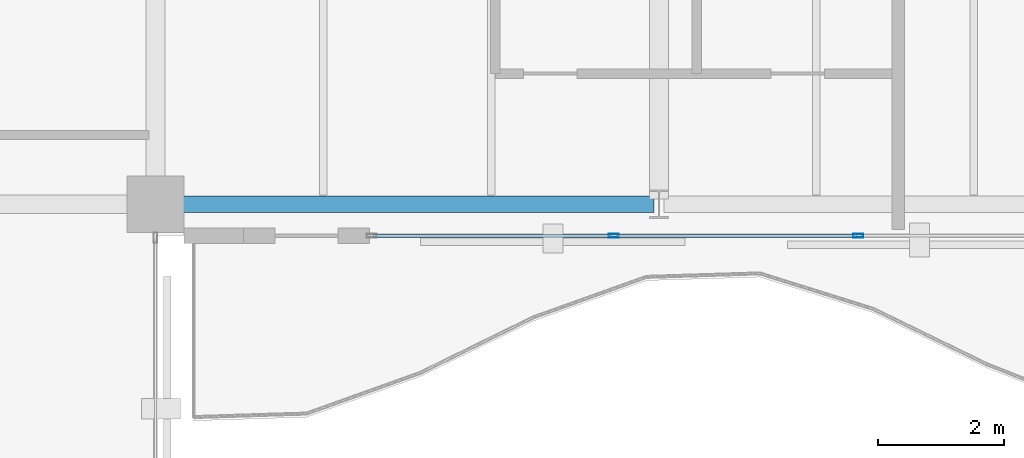
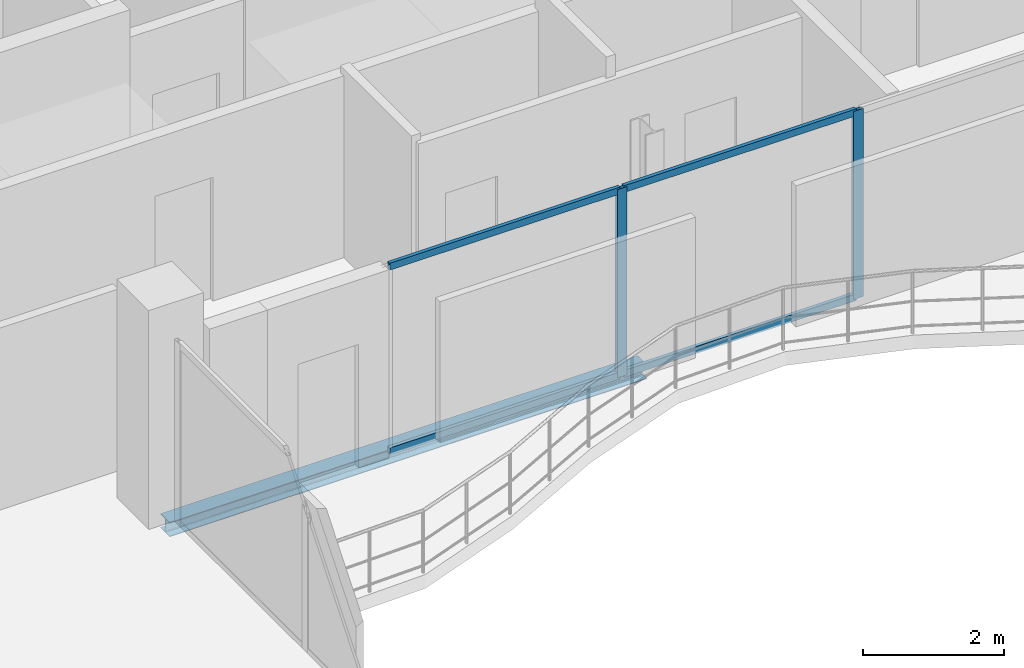
# One storey, part 9 of 23: 6 members, 1 beam, 1 element without a shape of its own.
"""IFC4 building model written with IfcOpenShell, lengths in metres."""

from ifc_helpers import new_model, si_unit, direction, frame, origin, origin_2d, place, context, subcontext, project, spatial, hollow_rectangle, i_section, extrude, material, layer, layer_set, material_profile, profile_set, type_object, element, aggregate, save


model = new_model("IFC4")

# Units and contexts
model_context = context("Model", 3, precision=1e-05, world=origin(), true_north=direction((0.0, 1.0)))
body_context = subcontext(model_context, "Body", "Model", "MODEL_VIEW")
ifc_project = project(units=[si_unit("LENGTHUNIT", "METRE"), si_unit("AREAUNIT", "SQUARE_METRE"), si_unit("VOLUMEUNIT", "CUBIC_METRE"), si_unit("PLANEANGLEUNIT", "RADIAN"), si_unit("MASSUNIT", "GRAM", prefix="KILO")], contexts=[model_context])

# Site, building, storey
site_placement = place(None, origin())
site = spatial("IfcSite", under=ifc_project, at=site_placement, CompositionType="ELEMENT")
building_placement = place(site_placement, origin())
building = spatial("IfcBuilding", under=site, at=building_placement, Name="Catumbela Crestline Tower", CompositionType="ELEMENT")
storey_placement = place(building_placement, frame((0.0, 0.0, 245.0)))
storey = spatial("IfcBuildingStorey", under=building, at=storey_placement, Name="L63", CompositionType="ELEMENT", Elevation=245.0)

# Curtain wall, members
ifc_material_1 = material(Name="Aluminium alloy AW-6060-T66", Category="aluminium")
ifc_layer = layer(ifc_material_1, 0.18, Name="Aluminium alloy AW-6060-T66")
ifc_layer_set = layer_set([ifc_layer], Name="Aluminium alloy AW-6060-T66")
curtain_wall_type = type_object("IfcCurtainWallType", Name="CWU-Z4", PredefinedType="USERDEFINED", material=ifc_layer_set)
curtain_wall_placement = place(storey_placement, origin())
curtain_wall = element("IfcCurtainWall", 1, at=curtain_wall_placement, inside=storey, type_object=curtain_wall_type, Name="L63 Unitised Curtain Wall CW-L63-E3S2", ObjectType="UNITISED", PredefinedType="USERDEFINED")
ifc_material_profile_1 = material_profile(ifc_material_1, hollow_rectangle(XDim=0.06, YDim=0.16, WallThickness=0.004, at=origin_2d()), Name="ALU 160x60x4")
ifc_profile_set_1 = profile_set([ifc_material_profile_1], Name="Aluminium alloy AW-6060-T66")
member_type_1 = type_object("IfcMemberType", Name="MUL-160X60", PredefinedType="MULLION", material=ifc_profile_set_1)
member_1_placement = place(storey_placement, frame((31.2833, 24.0, 0.0), z_axis=(0.0, 0.0, 1.0), x_axis=(0.0, 1.0, 0.0)))
member_1 = element("IfcMember", 2, at=member_1_placement, type_object=member_type_1, Name="CWU-Z4 mullion 2", PredefinedType="MULLION", context=body_context, shape_type="SweptSolid", body=[
    extrude(hollow_rectangle(XDim=0.06, YDim=0.16, WallThickness=0.004, at=origin_2d()), origin(), (0.0, 0.0, 1.0), 3.27),
])
member_2_placement = place(storey_placement, frame((35.1667, 24.0, 0.0), z_axis=(0.0, 0.0, 1.0), x_axis=(0.0, 1.0, 0.0)))
member_2 = element("IfcMember", 3, at=member_2_placement, type_object=member_type_1, Name="CWU-Z4 mullion 3", PredefinedType="MULLION", context=body_context, shape_type="SweptSolid", body=[
    extrude(hollow_rectangle(XDim=0.06, YDim=0.16, WallThickness=0.004, at=origin_2d()), origin(), (0.0, 0.0, 1.0), 3.27),
])

# Beam
ifc_material_2 = material(Name="Structural steel S355J2", Category="steel")
ifc_material_profile_2 = material_profile(ifc_material_2, i_section(OverallWidth=0.26, OverallDepth=0.25, WebThickness=0.0075, FlangeThickness=0.0125, FilletRadius=0.024, at=origin_2d()), Name="HEA 260")
ifc_profile_set_2 = profile_set([ifc_material_profile_2], Name="Structural steel S355J2")
beam_type = type_object("IfcBeamType", Name="BS-HEA260", PredefinedType="SPANDREL", material=ifc_profile_set_2)
beam_placement = place(storey_placement, frame((24.08, 24.5, -0.385), z_axis=(1.0, 0.0, 0.0), x_axis=(0.0, 1.0, 0.0)))
element("IfcBeam", 4, at=beam_placement, inside=storey, type_object=beam_type, Name="L63 Spandrel SP-L63-S04", PredefinedType="SPANDREL", context=body_context, shape_type="SweptSolid", body=[
    extrude(i_section(OverallWidth=0.26, OverallDepth=0.25, WebThickness=0.0075, FlangeThickness=0.0125, FilletRadius=0.024, at=origin_2d()), origin(), (0.0, 0.0, 1.0), 7.84),
])

# Member
ifc_material_profile_3 = material_profile(ifc_material_1, hollow_rectangle(XDim=0.06, YDim=0.12, WallThickness=0.0035, at=origin_2d()), Name="ALU 120x60x3.5")
ifc_profile_set_3 = profile_set([ifc_material_profile_3], Name="Aluminium alloy AW-6060-T66")
member_type_2 = type_object("IfcMemberType", Name="TRN-120X60", PredefinedType="USERDEFINED", material=ifc_profile_set_3)
member_3_placement = place(storey_placement, frame((27.465, 24.0, 0.03), z_axis=(1.0, 0.0, 0.0), x_axis=(0.0, 1.0, 0.0)))
member_3 = element("IfcMember", 5, at=member_3_placement, type_object=member_type_2, Name="CWU-Z4 transom 1.1", ObjectType="TRANSOM", PredefinedType="USERDEFINED", context=body_context, shape_type="SweptSolid", body=[
    extrude(hollow_rectangle(XDim=0.06, YDim=0.12, WallThickness=0.0035, at=origin_2d()), origin(), (0.0, 0.0, 1.0), 3.7858),
])

member_4_placement = place(storey_placement, frame((27.465, 24.0, 3.24), z_axis=(1.0, 0.0, 0.0), x_axis=(0.0, 1.0, 0.0)))
member_4 = element("IfcMember", 6, at=member_4_placement, type_object=member_type_2, Name="CWU-Z4 transom 1.2", ObjectType="TRANSOM", PredefinedType="USERDEFINED", context=body_context, shape_type="SweptSolid", body=[
    extrude(hollow_rectangle(XDim=0.06, YDim=0.12, WallThickness=0.0035, at=origin_2d()), origin(), (0.0, 0.0, 1.0), 3.7858),
])

member_5_placement = place(storey_placement, frame((31.3158, 24.0, 0.03), z_axis=(1.0, 0.0, 0.0), x_axis=(0.0, 1.0, 0.0)))
member_5 = element("IfcMember", 7, at=member_5_placement, type_object=member_type_2, Name="CWU-Z4 transom 2.1", ObjectType="TRANSOM", PredefinedType="USERDEFINED", context=body_context, shape_type="SweptSolid", body=[
    extrude(hollow_rectangle(XDim=0.06, YDim=0.12, WallThickness=0.0035, at=origin_2d()), origin(), (0.0, 0.0, 1.0), 3.8184),
])

member_6_placement = place(storey_placement, frame((31.3158, 24.0, 3.24), z_axis=(1.0, 0.0, 0.0), x_axis=(0.0, 1.0, 0.0)))
member_6 = element("IfcMember", 8, at=member_6_placement, type_object=member_type_2, Name="CWU-Z4 transom 2.2", ObjectType="TRANSOM", PredefinedType="USERDEFINED", context=body_context, shape_type="SweptSolid", body=[
    extrude(hollow_rectangle(XDim=0.06, YDim=0.12, WallThickness=0.0035, at=origin_2d()), origin(), (0.0, 0.0, 1.0), 3.8184),
])

aggregate(curtain_wall, [member_1, member_2, member_3, member_4, member_5, member_6])

save(model, "model.ifc")
